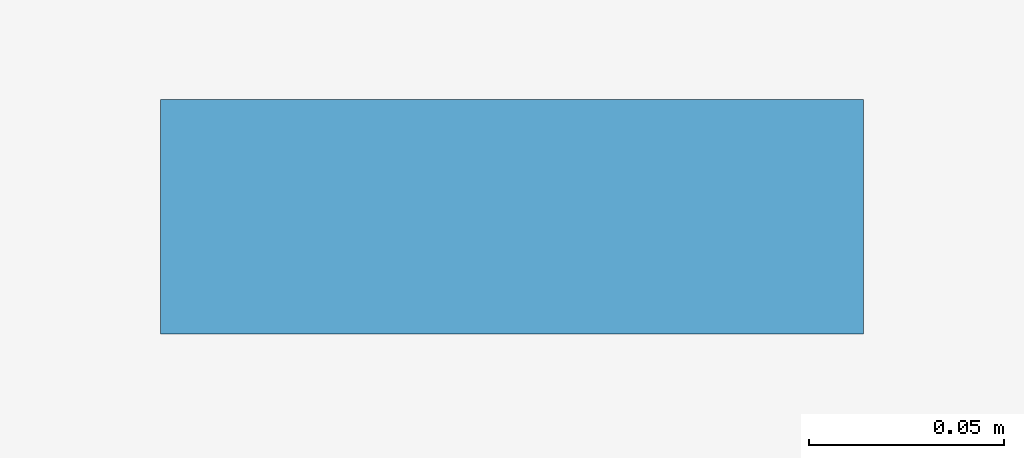
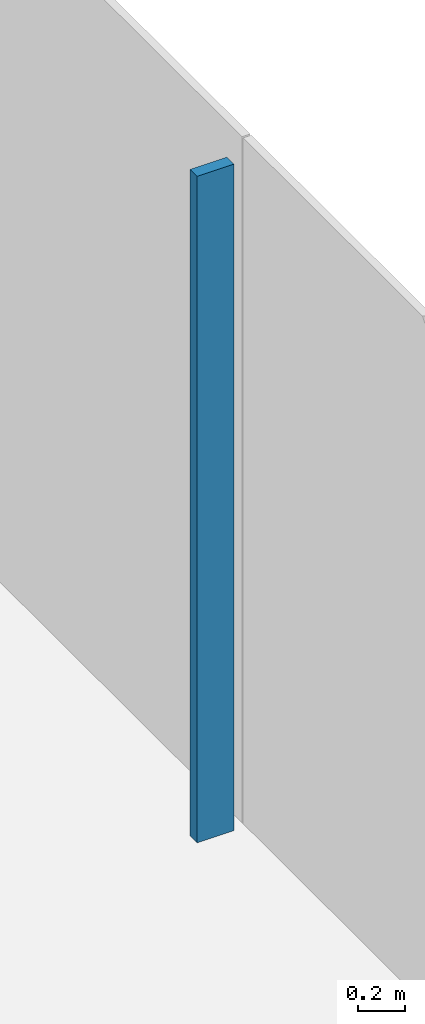
# One storey, part 9 of 22: 1 member, 1 element without a shape of its own.
"""IFC4 building model written with IfcOpenShell, lengths in metres."""

from ifc_helpers import new_model, si_unit, direction, frame, origin, origin_2d, place, context, subcontext, project, spatial, rectangle, extrude, material, layer, layer_set, material_profile, profile_set, type_object, element, aggregate, save


model = new_model("IFC4")

# Units and contexts
model_context = context("Model", 3, precision=1e-05, world=origin(), true_north=direction((0.0, 1.0)))
body_context = subcontext(model_context, "Body", "Model", "MODEL_VIEW")
ifc_project = project(units=[si_unit("LENGTHUNIT", "METRE"), si_unit("AREAUNIT", "SQUARE_METRE"), si_unit("VOLUMEUNIT", "CUBIC_METRE"), si_unit("PLANEANGLEUNIT", "RADIAN"), si_unit("MASSUNIT", "GRAM", prefix="KILO")], contexts=[model_context])

# Site, building, storey
site_placement = place(None, origin())
site = spatial("IfcSite", under=ifc_project, at=site_placement, CompositionType="ELEMENT")
building_placement = place(site_placement, origin())
building = spatial("IfcBuilding", under=site, at=building_placement, Name="Shamsa Quay Exchange Towers", CompositionType="ELEMENT")
storey_placement = place(building_placement, frame((0.0, 0.0, 69.300048828125)))
storey = spatial("IfcBuildingStorey", under=building, at=storey_placement, Name="L15", CompositionType="ELEMENT", Elevation=69.300048828125)

# Curtain wall, member
ifc_material = material(Name="Aluminium EN AW-6063 T6, black anodised", Category="aluminium")
ifc_layer = layer(ifc_material, 0.280029296875)
ifc_layer_set = layer_set([ifc_layer], Name="CW-1 UNITISED VISION GLASS")
curtain_wall_type = type_object("IfcCurtainWallType", Name="CW-1 UNITISED VISION GLASS", PredefinedType="NOTDEFINED", material=ifc_layer_set)
curtain_wall_placement = place(storey_placement, origin())
curtain_wall = element("IfcCurtainWall", 1, at=curtain_wall_placement, inside=storey, type_object=curtain_wall_type, Name="CW1 T2-END-V- L15", PredefinedType="NOTDEFINED")
ifc_material_profile = material_profile(ifc_material, rectangle(XDim=0.179931640625, YDim=0.06005859375, at=origin_2d()), Name="MU60x180")
ifc_profile_set = profile_set([ifc_material_profile], Name="Aluminium EN AW-6063 T6, black anodised")
member_type = type_object("IfcMemberType", Name="CW1 MULLION 60x180", PredefinedType="MULLION", material=ifc_profile_set)
member_placement = place(storey_placement, frame((62.85009765625, 2.25, 0.0), z_axis=(0.0, 0.0, 1.0), x_axis=(-1.0, 0.0, 0.0)))
member = element("IfcMember", 2, at=member_placement, type_object=member_type, Name="CW1 mullion", PredefinedType="MULLION", context=body_context, shape_type="SweptSolid", body=[
    extrude(rectangle(XDim=0.179931640625, YDim=0.06005859375, at=origin_2d()), origin(), (0.0, 0.0, 1.0), 3.449951171875),
])
aggregate(curtain_wall, [member])

save(model, "model.ifc")
